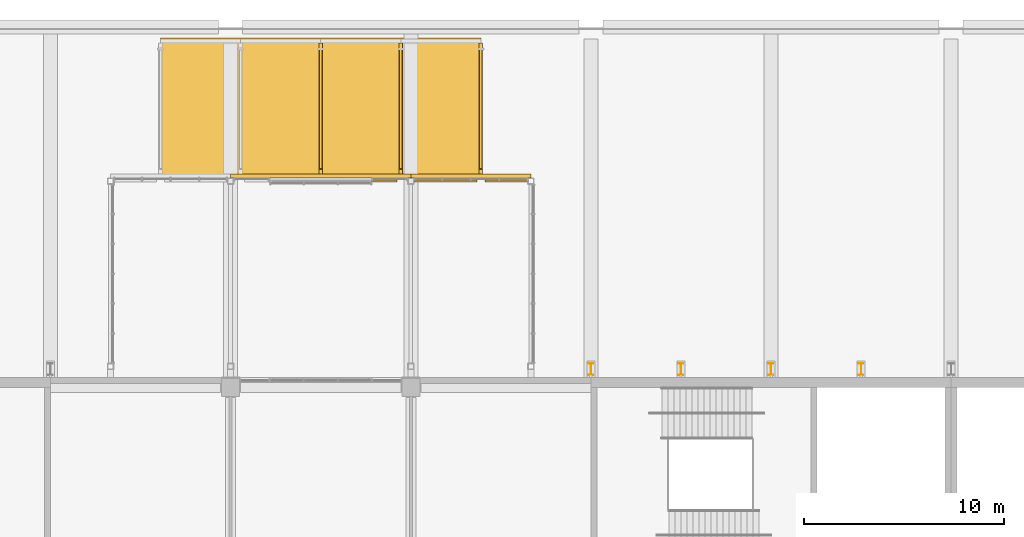
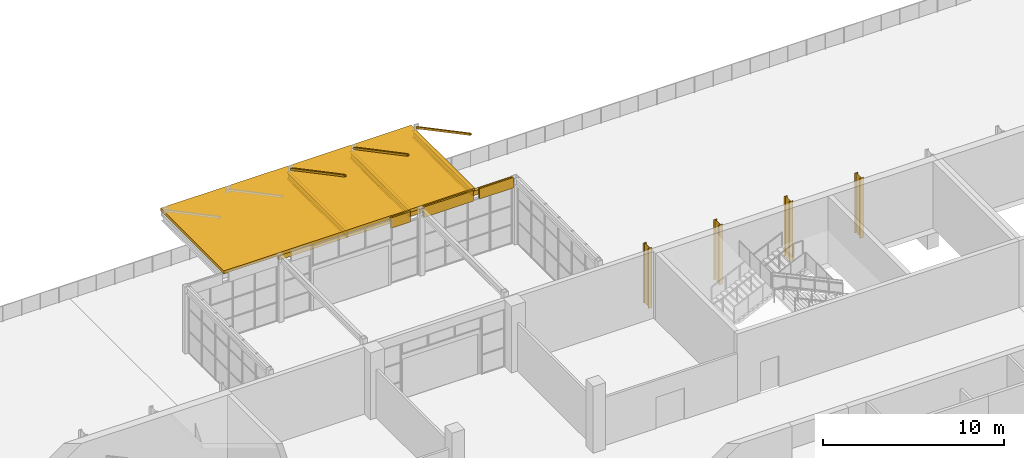
# One storey, part 164 of 168: 13 shading devices, 3 coverings.
"""IFC4 building model written with IfcOpenShell, lengths in metres."""

from ifc_helpers import new_model, si_unit, direction, frame, origin, origin_2d, place, context, subcontext, project, spatial, polyline, rectangle, hollow_rectangle, i_section, outline, extrude, material, layer, layer_set, material_profile, profile_set, type_object, element, save


model = new_model("IFC4")

# Units and contexts
model_context = context("Model", 3, precision=1e-05, world=origin(), true_north=direction((0.0, 1.0)))
body_context = subcontext(model_context, "Body", "Model", "MODEL_VIEW")
ifc_project = project(units=[si_unit("LENGTHUNIT", "METRE"), si_unit("AREAUNIT", "SQUARE_METRE"), si_unit("VOLUMEUNIT", "CUBIC_METRE"), si_unit("PLANEANGLEUNIT", "RADIAN"), si_unit("MASSUNIT", "GRAM", prefix="KILO")], contexts=[model_context])

# Site, building, storey
site_placement = place(None, origin())
site = spatial("IfcSite", under=ifc_project, at=site_placement, CompositionType="ELEMENT")
building_placement = place(site_placement, origin())
building = spatial("IfcBuilding", under=site, at=building_placement, Name="Silverbay Arena", CompositionType="ELEMENT")
storey_placement = place(building_placement, frame((0.0, 0.0, 7.0)))
storey = spatial("IfcBuildingStorey", under=building, at=storey_placement, Name="L01", CompositionType="ELEMENT", Elevation=7.0)

# Coverings
ifc_material_1 = material(Name="Aluminium composite cladding", Category="aluminium")
ifc_layer = layer(ifc_material_1, 0.10009765625)
ifc_layer_set = layer_set([ifc_layer], Name="Aluminium composite cladding")
covering_type = type_object("IfcCoveringType", Name="Canopy band cladding 100", PredefinedType="CLADDING", material=ifc_layer_set)
covering_1_placement = place(storey_placement, frame((0.0, 0.0, 3.800048828125)))
element("IfcCovering", 1, at=covering_1_placement, inside=storey, type_object=covering_type, Name="Canopy band cladding", PredefinedType="CLADDING", context=body_context, shape_type="SweptSolid", body=[
    extrude(outline(polyline([(133.050048828125, 154.25), (134.300048828125, 154.25), (134.300048828125, 154.35009765625), (133.050048828125, 154.35009765625), (133.050048828125, 154.25)])), origin(), (0.0, 0.0, 1.0), 0.699951171875),
])
covering_2_placement = place(storey_placement, frame((0.0, 0.0, 3.800048828125)))
element("IfcCovering", 2, at=covering_2_placement, inside=storey, type_object=covering_type, Name="Canopy band cladding", PredefinedType="CLADDING", context=body_context, shape_type="SweptSolid", body=[
    extrude(outline(polyline([(135.14990234375, 154.25), (138.300048828125, 154.25), (138.300048828125, 154.35009765625), (135.14990234375, 154.35009765625), (135.14990234375, 154.25)])), origin(), (0.0, 0.0, 1.0), 0.699951171875),
])
covering_3_placement = place(storey_placement, frame((0.0, 0.0, 3.800048828125)))
element("IfcCovering", 3, at=covering_3_placement, inside=storey, type_object=covering_type, Name="Canopy band cladding", PredefinedType="CLADDING", context=body_context, shape_type="SweptSolid", body=[
    extrude(outline(polyline([(138.699951171875, 154.25), (140.85009765625, 154.25), (140.85009765625, 154.35009765625), (138.699951171875, 154.35009765625), (138.699951171875, 154.25)])), origin(), (0.0, 0.0, 1.0), 0.699951171875),
])

# Shading devices
ifc_material_2 = material(Name="Steel S355", Category="steel")
ifc_material_profile_1 = material_profile(ifc_material_2, i_section(OverallWidth=0.18994140625, OverallDepth=0.453369140625, WebThickness=0.008544921875, FlangeThickness=0.0126953125, at=origin_2d()), Name="UB 457x191x67")
ifc_profile_set_1 = profile_set([ifc_material_profile_1], Name="Steel S355")
shading_device_type_1 = type_object("IfcShadingDeviceType", Name="Canopy beam UB 457x191x67", PredefinedType="USERDEFINED", material=ifc_profile_set_1)
for number, where, z_axis, x_axis, name in (
    (4, (130.5, 154.64990234375, 4.0732421875), (0.0, 1.0, 0.0), (-1.0, 0.0, 0.0), "North entrance hall N1 canopy beam 3"),
    (5, (134.5, 154.64990234375, 4.0732421875), (0.0, 1.0, 0.0), (-1.0, 0.0, 0.0), "North entrance hall N1 canopy beam 4"),
    (6, (138.5, 154.64990234375, 4.0732421875), (0.0, 1.0, 0.0), (-1.0, 0.0, 0.0), "North entrance hall N1 canopy beam 5"),
):
    element("IfcShadingDevice", number, at=place(storey_placement, frame(where, z_axis=z_axis, x_axis=x_axis)), inside=storey, type_object=shading_device_type_1, Name=name, ObjectType="CANOPY FRAME", PredefinedType="USERDEFINED", context=body_context, shape_type="SweptSolid", body=[
        extrude(i_section(OverallWidth=0.18994140625, OverallDepth=0.453369140625, WebThickness=0.008544921875, FlangeThickness=0.0126953125, at=origin_2d()), origin(), (0.0, 0.0, 1.0), 6.550048828125),
    ])
ifc_material_3 = material(Name="Steel S355", Category="steel")
shading_device_type_2 = type_object("IfcShadingDeviceType", Name="Canopy plate 200", PredefinedType="AWNING", material=ifc_material_3)
shading_device_1_placement = place(storey_placement, frame((130.5, 157.949951171875, 4.2998046875), z_axis=(0.0, 0.0, 1.0), x_axis=(1.0, 0.0, 0.0)))
element("IfcShadingDevice", 7, at=shading_device_1_placement, inside=storey, type_object=shading_device_type_2, Name="North entrance hall N1 canopy", PredefinedType="AWNING", context=body_context, shape_type="SweptSolid", body=[
    extrude(rectangle(XDim=16.0, YDim=7.0, at=origin_2d()), origin(), (0.0, 0.0, 1.0), 0.199951171875),
])
ifc_material_4 = material(Name="Steel S355", Category="steel")
ifc_material_profile_2 = material_profile(ifc_material_4, hollow_rectangle(XDim=0.199951171875, YDim=0.300048828125, WallThickness=0.008056640625, at=origin_2d()), Name="RHS 300x200x8")
ifc_profile_set_2 = profile_set([ifc_material_profile_2], Name="Steel S355")
shading_device_type_3 = type_object("IfcShadingDeviceType", Name="Canopy rail RHS 300x200x8", PredefinedType="USERDEFINED", material=ifc_profile_set_2)
shading_device_2_placement = place(storey_placement, frame((126.0, 154.550048828125, 4.14990234375), z_axis=(1.0, 0.0, 0.0), x_axis=(0.0, 1.0, 0.0)))
element("IfcShadingDevice", 8, at=shading_device_2_placement, inside=storey, type_object=shading_device_type_3, Name="North entrance hall N1 canopy rail 2", ObjectType="CANOPY FRAME", PredefinedType="USERDEFINED", context=body_context, shape_type="SweptSolid", body=[
    extrude(hollow_rectangle(XDim=0.199951171875, YDim=0.300048828125, WallThickness=0.008056640625, at=origin_2d()), origin(), (0.0, 0.0, 1.0), 9.0),
])
shading_device_3_placement = place(storey_placement, frame((135.0, 154.550048828125, 4.14990234375), z_axis=(1.0, 0.0, 0.0), x_axis=(0.0, 1.0, 0.0)))
element("IfcShadingDevice", 9, at=shading_device_3_placement, inside=storey, type_object=shading_device_type_3, Name="North entrance hall N1 canopy rail 3", ObjectType="CANOPY FRAME", PredefinedType="USERDEFINED", context=body_context, shape_type="SweptSolid", body=[
    extrude(hollow_rectangle(XDim=0.199951171875, YDim=0.300048828125, WallThickness=0.008056640625, at=origin_2d()), origin(), (0.0, 0.0, 1.0), 6.0),
])
ifc_material_5 = material(Name="Steel S355", Category="steel")
ifc_material_profile_3 = material_profile(ifc_material_5, hollow_rectangle(XDim=0.1201171875, YDim=0.1201171875, WallThickness=0.00634765625, at=origin_2d()), Name="SHS 120x120x6.3")
ifc_profile_set_3 = profile_set([ifc_material_profile_3], Name="Steel S355")
shading_device_type_4 = type_object("IfcShadingDeviceType", Name="Canopy tie SHS 120x120x6.3", PredefinedType="USERDEFINED", material=ifc_profile_set_3)
for number, where, z_axis, x_axis, name in (
    (10, (130.5, 154.89990234375, 7.85009765625), (0.0, 0.883785270164, -0.467892718731), (-1.0, 0.0, 0.0), "North entrance hall N1 canopy tie 3"),
    (11, (134.5, 154.89990234375, 7.85009765625), (0.0, 0.883785270164, -0.467892718731), (-1.0, 0.0, 0.0), "North entrance hall N1 canopy tie 4"),
    (12, (138.5, 154.89990234375, 7.85009765625), (0.0, 0.883785270164, -0.467892718731), (-1.0, 0.0, 0.0), "North entrance hall N1 canopy tie 5"),
):
    element("IfcShadingDevice", number, at=place(storey_placement, frame(where, z_axis=z_axis, x_axis=x_axis)), inside=storey, type_object=shading_device_type_4, Name=name, ObjectType="CANOPY FRAME", PredefinedType="USERDEFINED", context=body_context, shape_type="SweptSolid", body=[
        extrude(hollow_rectangle(XDim=0.1201171875, YDim=0.1201171875, WallThickness=0.00634765625, at=origin_2d()), origin(), (0.0, 0.0, 1.0), 6.732666015625),
    ])
ifc_material_6 = material(Name="Steel S355", Category="steel")
ifc_material_profile_4 = material_profile(ifc_material_6, i_section(OverallWidth=0.2275390625, OverallDepth=0.6025390625, WebThickness=0.010498046875, FlangeThickness=0.014892578125, at=origin_2d()), Name="UB 610x229x101")
ifc_profile_set_4 = profile_set([ifc_material_profile_4], Name="Steel S355")
shading_device_type_5 = type_object("IfcShadingDeviceType", Name="Steel fin UB 610x229x101", PredefinedType="USERDEFINED", material=ifc_profile_set_4)
for number, where, z_axis, x_axis, name in (
    (13, (144.0, 144.9013671875, 0.449951171875), (0.0, 0.0, 1.0), (1.0, 0.0, 0.0), "Steel fin N L01 20"),
    (14, (148.5, 144.9013671875, 0.449951171875), (0.0, 0.0, 1.0), (1.0, 0.0, 0.0), "Steel fin N L01 21"),
    (15, (153.0, 144.9013671875, 0.449951171875), (0.0, 0.0, 1.0), (1.0, 0.0, 0.0), "Steel fin N L01 22"),
    (16, (157.5, 144.9013671875, 0.449951171875), (0.0, 0.0, 1.0), (1.0, 0.0, 0.0), "Steel fin N L01 23"),
):
    element("IfcShadingDevice", number, at=place(storey_placement, frame(where, z_axis=z_axis, x_axis=x_axis)), inside=storey, type_object=shading_device_type_5, Name=name, ObjectType="FIN", PredefinedType="USERDEFINED", context=body_context, shape_type="SweptSolid", body=[
        extrude(i_section(OverallWidth=0.2275390625, OverallDepth=0.6025390625, WebThickness=0.010498046875, FlangeThickness=0.014892578125, at=origin_2d()), origin(), (0.0, 0.0, 1.0), 4.050048828125),
    ])

save(model, "model.ifc")
